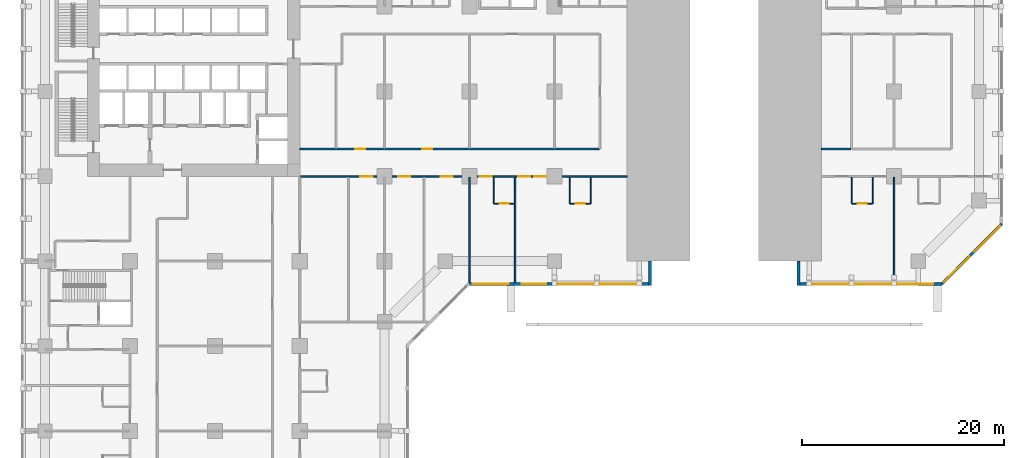
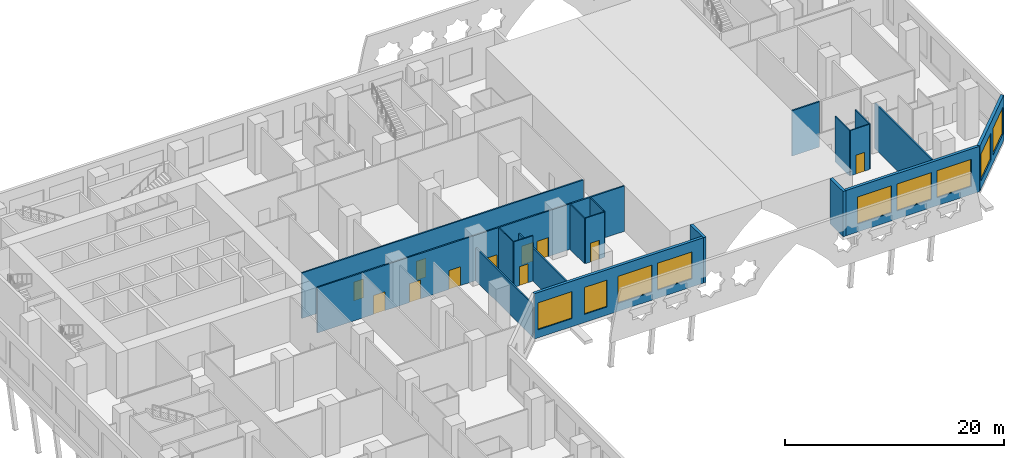
# One storey, part 8 of 24: 19 walls, 11 doors, 9 windows, 20 openings.
"""IFC4 building model written with IfcOpenShell, lengths in metres."""

import ifcopenshell
import ifcopenshell.guid

model = None  # the IFC model being written
_history = None  # IfcOwnerHistory: only IFC2X3 demands one
_inside = {}  # id of a spatial element -> (the spatial element, [elements in it])
_under = {}  # id of a project, library or spatial element -> (it, [spatial elements below it])
_declared = {}  # id of a project -> (the project, [libraries it declares])
_typed = {}  # id of a type object -> (the type object, [elements of that type])
_made_of = {}  # id of a material, layer set ... -> (it, [elements and type objects made of it])


def new_model(schema):
    """Start an empty IFC model of exactly this schema.

    Asked for "IFC4X3", IfcOpenShell would pick the latest addendum, in which some entities
    have other attributes; the version numbers below select the first issue.
    IFC2X3 requires an IfcOwnerHistory on every rooted entity: one is made here for all.
    """
    global model, _history
    if schema == "IFC4X3":
        model = ifcopenshell.file(schema_version=(4, 3, 0, 0))
    else:
        model = ifcopenshell.file(schema=schema)
    _inside.clear()
    _under.clear()
    _declared.clear()
    _typed.clear()
    _made_of.clear()
    _history = None
    if model.schema == "IFC2X3":
        org = make("IfcOrganization", Name="unknown")
        user = make(
            "IfcPersonAndOrganization",
            ThePerson=make("IfcPerson", FamilyName="unknown"),
            TheOrganization=org,
        )
        app = make(
            "IfcApplication",
            ApplicationDeveloper=org,
            Version="unknown",
            ApplicationFullName="unknown",
            ApplicationIdentifier="unknown",
        )
        _history = make(
            "IfcOwnerHistory",
            OwningUser=user,
            OwningApplication=app,
            ChangeAction="ADDED",
            CreationDate=0,
        )
    return model


def make(cls, **values):
    """One entity of the class cls with the attributes given. An attribute that is None is left unset."""
    return model.create_entity(
        cls, **{name: value for name, value in values.items() if value is not None}
    )


def rooted(cls, **values):
    """An entity with a GlobalId (a new one), such as an element, a storey or a relation."""
    return make(cls, GlobalId=ifcopenshell.guid.new(), OwnerHistory=_history, **values)


def si_unit(unit_type, name, prefix=None):
    """IfcSIUnit, for example si_unit("LENGTHUNIT", "METRE", prefix="MILLI")."""
    return make("IfcSIUnit", UnitType=unit_type, Prefix=prefix, Name=name)


def assignment(units):
    """IfcUnitAssignment: the units of a project."""
    return None if units is None else make("IfcUnitAssignment", Units=units)


def point(xyz):
    """IfcCartesianPoint."""
    return None if xyz is None else make("IfcCartesianPoint", Coordinates=xyz)


def direction(xyz):
    """IfcDirection."""
    return None if xyz is None else make("IfcDirection", DirectionRatios=xyz)


def frame(location, z_axis=None, x_axis=None):
    """IfcAxis2Placement3D, a coordinate frame: its origin and axes. An axis left out is left unset."""
    return make(
        "IfcAxis2Placement3D",
        Location=point(location),
        Axis=direction(z_axis),
        RefDirection=direction(x_axis),
    )


def frame_2d(location, x_axis=None):
    """IfcAxis2Placement2D, a coordinate frame in the plane: its origin and x axis."""
    return make(
        "IfcAxis2Placement2D", Location=point(location), RefDirection=direction(x_axis)
    )


def origin():
    """The frame at (0, 0, 0) with its axes left unset."""
    return frame((0.0, 0.0, 0.0))


def place(relative_to, where):
    """IfcLocalPlacement: puts the frame where relative to a parent placement (None: the world)."""
    return make(
        "IfcLocalPlacement", PlacementRelTo=relative_to, RelativePlacement=where
    )


def context(
    kind, dimensions, precision=None, world=None, true_north=None, identifier=None
):
    """IfcGeometricRepresentationContext, for example the 3D "Model" context."""
    return make(
        "IfcGeometricRepresentationContext",
        ContextIdentifier=identifier,
        ContextType=kind,
        CoordinateSpaceDimension=dimensions,
        Precision=precision,
        WorldCoordinateSystem=world,
        TrueNorth=true_north,
    )


def subcontext(parent, identifier, kind, view, scale=None):
    """IfcGeometricRepresentationSubContext, for example "Body" below "Model"."""
    return make(
        "IfcGeometricRepresentationSubContext",
        ContextIdentifier=identifier,
        ContextType=kind,
        ParentContext=parent,
        TargetScale=scale,
        TargetView=view,
    )


def project(units=None, contexts=None):
    """IfcProject with its units and contexts."""
    return rooted(
        "IfcProject",
        Name="project",
        RepresentationContexts=contexts,
        UnitsInContext=assignment(units),
    )


def spatial(cls, under=None, at=None, **own):
    """A site, building, storey or space (cls), placed at a placement, below another one or the project."""
    s = rooted(cls, ObjectPlacement=at, **own)
    if under is not None:
        _under.setdefault(under.id(), (under, []))[1].append(s)
    return s


def profile(cls, at=None, kind="AREA", **sizes):
    """A parametric profile (cls). Its sizes go by their IFC names, for example OverallWidth=200.0."""
    return make(cls, ProfileType=kind, Position=at, **sizes)


def rectangle(**sizes):
    """IfcRectangleProfileDef."""
    return profile("IfcRectangleProfileDef", **sizes)


def extrude(swept, where, along, depth):
    """IfcExtrudedAreaSolid: the profile swept, set in the frame where, extruded along a direction by depth."""
    return make(
        "IfcExtrudedAreaSolid",
        SweptArea=swept,
        Position=where,
        ExtrudedDirection=direction(along),
        Depth=depth,
    )


def shape(context_of_items, identifier, shape_type, items):
    """IfcShapeRepresentation: the items that make up one representation, for example the "Body"."""
    return make(
        "IfcShapeRepresentation",
        ContextOfItems=context_of_items,
        RepresentationIdentifier=identifier,
        RepresentationType=shape_type,
        Items=items,
    )


def material(Name=None, Category=None):
    """IfcMaterial."""
    return make("IfcMaterial", Name=Name, Category=Category)


def layer(
    of_material, thickness, ventilated=None, Name=None, Category=None, Priority=None
):
    """IfcMaterialLayer: one layer of a wall or slab, of a material (None: an air gap)."""
    return make(
        "IfcMaterialLayer",
        Material=of_material,
        LayerThickness=thickness,
        IsVentilated=ventilated,
        Name=Name,
        Category=Category,
        Priority=Priority,
    )


def layer_set(layers, Name=None):
    """IfcMaterialLayerSet."""
    return make("IfcMaterialLayerSet", MaterialLayers=layers, LayerSetName=Name)


def made_of(thing, what):
    """Note that an element or type object is made of a material, layer set ...; save() writes the relation."""
    if what is not None:
        _made_of.setdefault(what.id(), (what, []))[1].append(thing)
    return thing


def type_object(cls, material=None, **own):
    """A type object (cls), such as IfcWallType, which elements share."""
    return made_of(rooted(cls, **own), material)


def element(
    cls,
    number,
    at=None,
    inside=None,
    cuts=None,
    type_object=None,
    material=None,
    context=None,
    identifier="Body",
    shape_type=None,
    held_by="IfcProductDefinitionShape",
    body=None,
    shapes=None,
    **own,
):
    """One element of the class cls, such as IfcWall. Its Tag is "e" and its number.

    at: its placement. inside: the storey or other place that contains it. cuts: it is an
    opening in that element (IfcRelVoidsElement). A single representation is given by context,
    identifier, shape_type and body (its items); several are given by shapes. held_by: the class
    of the entity that holds the representations. save() writes the other relations.
    """
    e = rooted(cls, Tag="e%d" % number, ObjectPlacement=at, **own)
    if body is not None:
        shapes = [shape(context, identifier, shape_type, body)]
    if shapes is not None:
        e.Representation = make(held_by, Representations=shapes)
    if inside is not None:
        _inside.setdefault(inside.id(), (inside, []))[1].append(e)
    if cuts is not None:
        rooted(
            "IfcRelVoidsElement", RelatingBuildingElement=cuts, RelatedOpeningElement=e
        )
    if type_object is not None:
        _typed.setdefault(type_object.id(), (type_object, []))[1].append(e)
    return made_of(e, material)


def fill(opening, filler):
    """IfcRelFillsElement: the door or window that sits in an opening."""
    return rooted(
        "IfcRelFillsElement",
        RelatingOpeningElement=opening,
        RelatedBuildingElement=filler,
    )


def aggregate(whole, parts):
    """IfcRelAggregates: a whole, such as a stair, and the parts it consists of."""
    return rooted("IfcRelAggregates", RelatingObject=whole, RelatedObjects=parts)


def save(model, path):
    """Write the relations noted so far, then the file.

    IfcRelAggregates (storeys below a building ...), IfcRelContainedInSpatialStructure (elements
    in a storey), IfcRelDefinesByType, IfcRelAssociatesMaterial and IfcRelDeclares: one each for
    every whole, place, type object, material and project.
    """
    for whole, parts in _under.values():
        aggregate(whole, parts)
    for where, things in _inside.values():
        rooted(
            "IfcRelContainedInSpatialStructure",
            RelatedElements=things,
            RelatingStructure=where,
        )
    for kind, things in _typed.values():
        rooted("IfcRelDefinesByType", RelatedObjects=things, RelatingType=kind)
    for what, things in _made_of.values():
        rooted("IfcRelAssociatesMaterial", RelatedObjects=things, RelatingMaterial=what)
    for by, libraries in _declared.values():
        rooted("IfcRelDeclares", RelatingContext=by, RelatedDefinitions=libraries)
    model.write(path)


model = new_model("IFC4")

# Units and contexts
model_context = context("Model", 3, precision=1e-05, world=origin(), true_north=direction((0.0, 1.0)))
body_context = subcontext(model_context, "Body", "Model", "MODEL_VIEW")
ifc_project = project(units=[si_unit("LENGTHUNIT", "METRE"), si_unit("AREAUNIT", "SQUARE_METRE"), si_unit("VOLUMEUNIT", "CUBIC_METRE"), si_unit("PLANEANGLEUNIT", "RADIAN"), si_unit("MASSUNIT", "GRAM", prefix="KILO")], contexts=[model_context])

# Site, building, storey
site_placement = place(None, origin())
site = spatial("IfcSite", under=ifc_project, at=site_placement, CompositionType="ELEMENT")
building_placement = place(site_placement, origin())
building = spatial("IfcBuilding", under=site, at=building_placement, Name="Kawkab Arch Medical Tower", CompositionType="ELEMENT")
storey_placement = place(building_placement, frame((0.0, 0.0, 18.199951171875)))
storey = spatial("IfcBuildingStorey", under=building, at=storey_placement, Name="L04", CompositionType="ELEMENT", Elevation=18.199951171875)

# Wall, opening, door
ifc_material_1 = material(Name="Gypsum board partition on steel studs", Category="steel")
ifc_layer_1 = layer(ifc_material_1, 0.10009765625)
ifc_layer_set_1 = layer_set([ifc_layer_1], Name="Gypsum board partition on steel studs")
wall_type_1 = type_object("IfcWallType", Name="Partition 100", PredefinedType="PARTITIONING", material=ifc_layer_set_1)
wall_1_placement = place(storey_placement, frame((44.449951171875, -27.89990234375, 0.0), z_axis=(0.0, 0.0, 1.0), x_axis=(1.0, 0.0, 0.0)))
wall_1 = element("IfcWall", 1, at=wall_1_placement, inside=storey, type_object=wall_type_1, Name="Partition 100 w015", PredefinedType="PARTITIONING", context=body_context, shape_type="SweptSolid", body=[
    extrude(rectangle(XDim=1.97509765625, YDim=0.10009765625, at=frame_2d((0.987548828125, 0.0))), origin(), (0.0, 0.0, 1.0), 5.050048828125),
])
opening_1_placement = place(wall_1_placement, frame((0.550048828125, 0.0, 0.0)))
opening_1 = element("IfcOpeningElement", 2, at=opening_1_placement, cuts=wall_1, Name="Opening P04-004", PredefinedType="OPENING", context=body_context, shape_type="SweptSolid", body=[
    extrude(rectangle(XDim=0.89990234375, YDim=2.10009765625, at=frame_2d((0.449951171875, 1.050048828125))), frame((0.0, 0.06005859375, 0.0), z_axis=(0.0, -1.0, 0.0), x_axis=(1.0, 0.0, 0.0)), (0.0, 0.0, 1.0), 0.1201171875),
])
ifc_material_2 = material(Name="Timber door leaf", Category="wood")
door_type_1 = type_object("IfcDoorType", Name="Single door 900x2100", OperationType="NOTDEFINED", PredefinedType="DOOR", material=ifc_material_2)
door_1_placement = place(opening_1_placement, origin())
door_1 = element("IfcDoor", 3, at=door_1_placement, inside=storey, type_object=door_type_1, Name="Door P04-004", OperationType="SINGLE_SWING_RIGHT", OverallHeight=2.10009765625, OverallWidth=0.89990234375, PredefinedType="DOOR", context=body_context, shape_type="SweptSolid", body=[
    extrude(rectangle(XDim=0.89990234375, YDim=2.10009765625, at=frame_2d((0.449951171875, 1.050048828125))), frame((0.0, 0.02490234375, 0.0), z_axis=(0.0, -1.0, 0.0), x_axis=(1.0, 0.0, 0.0)), (0.0, 0.0, 1.0), 0.050048828125),
])
fill(opening_1, door_1)

wall_2_placement = place(storey_placement, frame((51.951904296875, -27.89990234375, 0.0), z_axis=(0.0, 0.0, 1.0), x_axis=(1.0, 0.0, 0.0)))
wall_2 = element("IfcWall", 4, at=wall_2_placement, inside=storey, type_object=wall_type_1, Name="Partition 100 w016", PredefinedType="PARTITIONING", context=body_context, shape_type="SweptSolid", body=[
    extrude(rectangle(XDim=1.9951171875, YDim=0.10009765625, at=frame_2d((0.99755859375, 0.0))), origin(), (0.0, 0.0, 1.0), 5.050048828125),
])
opening_2_placement = place(wall_2_placement, frame((0.547119140625, 0.0, 0.0)))
opening_2 = element("IfcOpeningElement", 5, at=opening_2_placement, cuts=wall_2, Name="Opening P04-005", PredefinedType="OPENING", context=body_context, shape_type="SweptSolid", body=[
    extrude(rectangle(XDim=0.89990234375, YDim=2.10009765625, at=frame_2d((0.449951171875, 1.050048828125))), frame((0.0, 0.06005859375, 0.0), z_axis=(0.0, -1.0, 0.0), x_axis=(1.0, 0.0, 0.0)), (0.0, 0.0, 1.0), 0.1201171875),
])
door_2_placement = place(opening_2_placement, origin())
door_2 = element("IfcDoor", 6, at=door_2_placement, inside=storey, type_object=door_type_1, Name="Door P04-005", OperationType="SINGLE_SWING_LEFT", OverallHeight=2.10009765625, OverallWidth=0.89990234375, PredefinedType="DOOR", context=body_context, shape_type="SweptSolid", body=[
    extrude(rectangle(XDim=0.89990234375, YDim=2.10009765625, at=frame_2d((0.449951171875, 1.050048828125))), frame((0.0, 0.02490234375, 0.0), z_axis=(0.0, -1.0, 0.0), x_axis=(1.0, 0.0, 0.0)), (0.0, 0.0, 1.0), 0.050048828125),
])
fill(opening_2, door_2)

wall_3_placement = place(storey_placement, frame((79.85205078125, -27.89990234375, 0.0), z_axis=(0.0, 0.0, 1.0), x_axis=(1.0, 0.0, 0.0)))
wall_3 = element("IfcWall", 7, at=wall_3_placement, inside=storey, type_object=wall_type_1, Name="Partition 100 w017", PredefinedType="PARTITIONING", context=body_context, shape_type="SweptSolid", body=[
    extrude(rectangle(XDim=1.995849609375, YDim=0.10009765625, at=frame_2d((0.998046875, 0.0))), origin(), (0.0, 0.0, 1.0), 5.050048828125),
])
opening_3_placement = place(wall_3_placement, frame((0.548095703125, 0.0, 0.0)))
opening_3 = element("IfcOpeningElement", 8, at=opening_3_placement, cuts=wall_3, Name="Opening P04-006", PredefinedType="OPENING", context=body_context, shape_type="SweptSolid", body=[
    extrude(rectangle(XDim=0.89990234375, YDim=2.10009765625, at=frame_2d((0.449951171875, 1.050048828125))), frame((0.0, 0.06005859375, 0.0), z_axis=(0.0, -1.0, 0.0), x_axis=(1.0, 0.0, 0.0)), (0.0, 0.0, 1.0), 0.1201171875),
])
door_3_placement = place(opening_3_placement, origin())
door_3 = element("IfcDoor", 9, at=door_3_placement, inside=storey, type_object=door_type_1, Name="Door P04-006", OperationType="SINGLE_SWING_RIGHT", OverallHeight=2.10009765625, OverallWidth=0.89990234375, PredefinedType="DOOR", context=body_context, shape_type="SweptSolid", body=[
    extrude(rectangle(XDim=0.89990234375, YDim=2.10009765625, at=frame_2d((0.449951171875, 1.050048828125))), frame((0.0, 0.02490234375, 0.0), z_axis=(0.0, -1.0, 0.0), x_axis=(1.0, 0.0, 0.0)), (0.0, 0.0, 1.0), 0.050048828125),
])
fill(opening_3, door_3)

# Walls
wall_4_placement = place(storey_placement, frame((44.39990234375, -27.89990234375, 0.0), z_axis=(0.0, 0.0, 1.0), x_axis=(0.0, 1.0, 0.0)))
element("IfcWall", 10, at=wall_4_placement, inside=storey, type_object=wall_type_1, Name="Partition 100 w031", PredefinedType="PARTITIONING", context=body_context, shape_type="SweptSolid", body=[
    extrude(rectangle(XDim=2.625, YDim=0.10009765625, at=frame_2d((1.3125, 0.0))), origin(), (0.0, 0.0, 1.0), 5.050048828125),
])
for number, where, z_axis, x_axis, name in (
    (11, (51.89990234375, -27.89794921875, 0.0), (0.0, 0.0, 1.0), (0.0, 1.0, 0.0), "Partition 100 w032"),
    (12, (54.0, -27.89794921875, 0.0), (0.0, 0.0, 1.0), (0.0, 1.0, 0.0), "Partition 100 w034"),
    (13, (79.800048828125, -27.89794921875, 0.0), (0.0, 0.0, 1.0), (0.0, 1.0, 0.0), "Partition 100 w036"),
):
    element("IfcWall", number, at=place(storey_placement, frame(where, z_axis=z_axis, x_axis=x_axis)), inside=storey, type_object=wall_type_1, Name=name, PredefinedType="PARTITIONING", context=body_context, shape_type="SweptSolid", body=[
        extrude(rectangle(XDim=2.623046875, YDim=0.10009765625, at=frame_2d((1.3115234375, 0.0))), origin(), (0.0, 0.0, 1.0), 5.050048828125),
    ])
wall_5_placement = place(storey_placement, frame((81.89990234375, -27.89892578125, 0.0), z_axis=(0.0, 0.0, 1.0), x_axis=(0.0, 1.0, 0.0)))
element("IfcWall", 14, at=wall_5_placement, inside=storey, type_object=wall_type_1, Name="Partition 100 w037", PredefinedType="PARTITIONING", context=body_context, shape_type="SweptSolid", body=[
    extrude(rectangle(XDim=2.6240234375, YDim=0.10009765625, at=frame_2d((1.31201171875, 0.0))), origin(), (0.0, 0.0, 1.0), 5.050048828125),
])

# Wall, openings, doors
ifc_material_3 = material(Name="Gypsum board partition on steel studs, mineral wool", Category="steel")
ifc_layer_2 = layer(ifc_material_3, 0.14990234375)
ifc_layer_set_2 = layer_set([ifc_layer_2], Name="Gypsum board partition on steel studs, mineral wool")
wall_type_2 = type_object("IfcWallType", Name="Partition 150", PredefinedType="PARTITIONING", material=ifc_layer_set_2)
wall_6_placement = place(storey_placement, frame((25.27490234375, -25.199951171875, 0.0), z_axis=(0.0, 0.0, 1.0), x_axis=(1.0, 0.0, 0.0)))
wall_6 = element("IfcWall", 15, at=wall_6_placement, inside=storey, type_object=wall_type_2, Name="Partition 150 w071", PredefinedType="PARTITIONING", context=body_context, shape_type="SweptSolid", body=[
    extrude(rectangle(XDim=32.3251953125, YDim=0.14990234375, at=frame_2d((16.16259765625, 0.0))), origin(), (0.0, 0.0, 1.0), 5.050048828125),
])
opening_4_placement = place(wall_6_placement, frame((5.925048828125, 0.0, 0.0)))
opening_4 = element("IfcOpeningElement", 16, at=opening_4_placement, cuts=wall_6, Name="Opening P04-046", PredefinedType="OPENING", context=body_context, shape_type="SweptSolid", body=[
    extrude(rectangle(XDim=1.199951171875, YDim=2.10009765625, at=frame_2d((0.60009765625, 1.050048828125))), frame((0.0, 0.0849609375, 0.0), z_axis=(0.0, -1.0, 0.0), x_axis=(1.0, 0.0, 0.0)), (0.0, 0.0, 1.0), 0.169921875),
])
opening_5_placement = place(wall_6_placement, frame((9.675048828125, 0.0, 0.0)))
opening_5 = element("IfcOpeningElement", 17, at=opening_5_placement, cuts=wall_6, Name="Opening P04-047", PredefinedType="OPENING", context=body_context, shape_type="SweptSolid", body=[
    extrude(rectangle(XDim=1.199951171875, YDim=2.10009765625, at=frame_2d((0.60009765625, 1.050048828125))), frame((0.0, 0.0849609375, 0.0), z_axis=(0.0, -1.0, 0.0), x_axis=(1.0, 0.0, 0.0)), (0.0, 0.0, 1.0), 0.169921875),
])
opening_6_placement = place(wall_6_placement, frame((13.875, 0.0, 0.0)))
opening_6 = element("IfcOpeningElement", 18, at=opening_6_placement, cuts=wall_6, Name="Opening P04-048", PredefinedType="OPENING", context=body_context, shape_type="SweptSolid", body=[
    extrude(rectangle(XDim=1.199951171875, YDim=2.10009765625, at=frame_2d((0.60009765625, 1.050048828125))), frame((0.0, 0.0849609375, 0.0), z_axis=(0.0, -1.0, 0.0), x_axis=(1.0, 0.0, 0.0)), (0.0, 0.0, 1.0), 0.169921875),
])
opening_7_placement = place(wall_6_placement, frame((17.72509765625, 0.0, 0.0)))
opening_7 = element("IfcOpeningElement", 19, at=opening_7_placement, cuts=wall_6, Name="Opening P04-049", PredefinedType="OPENING", context=body_context, shape_type="SweptSolid", body=[
    extrude(rectangle(XDim=1.199951171875, YDim=2.10009765625, at=frame_2d((0.60009765625, 1.050048828125))), frame((0.0, 0.0849609375, 0.0), z_axis=(0.0, -1.0, 0.0), x_axis=(1.0, 0.0, 0.0)), (0.0, 0.0, 1.0), 0.169921875),
])
opening_8_placement = place(wall_6_placement, frame((23.125, 0.0, 0.0)))
opening_8 = element("IfcOpeningElement", 20, at=opening_8_placement, cuts=wall_6, Name="Opening P04-050", PredefinedType="OPENING", context=body_context, shape_type="SweptSolid", body=[
    extrude(rectangle(XDim=1.199951171875, YDim=2.10009765625, at=frame_2d((0.60009765625, 1.050048828125))), frame((0.0, 0.0849609375, 0.0), z_axis=(0.0, -1.0, 0.0), x_axis=(1.0, 0.0, 0.0)), (0.0, 0.0, 1.0), 0.169921875),
])
opening_9_placement = place(wall_6_placement, frame((21.52490234375, 0.0, 0.0)))
opening_9 = element("IfcOpeningElement", 21, at=opening_9_placement, cuts=wall_6, Name="Opening P04-051", PredefinedType="OPENING", context=body_context, shape_type="SweptSolid", body=[
    extrude(rectangle(XDim=1.199951171875, YDim=2.10009765625, at=frame_2d((0.60009765625, 1.050048828125))), frame((0.0, 0.0849609375, 0.0), z_axis=(0.0, -1.0, 0.0), x_axis=(1.0, 0.0, 0.0)), (0.0, 0.0, 1.0), 0.169921875),
])
ifc_material_4 = material(Name="Hollow metal door leaf")
door_type_2 = type_object("IfcDoorType", Name="Single door 1200x2100 FD30S", OperationType="NOTDEFINED", PredefinedType="DOOR", material=ifc_material_4)
door_4_placement = place(opening_4_placement, origin())
door_4 = element("IfcDoor", 22, at=door_4_placement, inside=storey, type_object=door_type_2, Name="Door P04-046", OperationType="SINGLE_SWING_RIGHT", OverallHeight=2.10009765625, OverallWidth=1.199951171875, PredefinedType="DOOR", context=body_context, shape_type="SweptSolid", body=[
    extrude(rectangle(XDim=1.199951171875, YDim=2.10009765625, at=frame_2d((0.60009765625, 1.050048828125))), frame((0.0, 0.02490234375, 0.0), z_axis=(0.0, -1.0, 0.0), x_axis=(1.0, 0.0, 0.0)), (0.0, 0.0, 1.0), 0.050048828125),
])
fill(opening_4, door_4)
door_5_placement = place(opening_5_placement, origin())
door_5 = element("IfcDoor", 23, at=door_5_placement, inside=storey, type_object=door_type_2, Name="Door P04-047", OperationType="SINGLE_SWING_RIGHT", OverallHeight=2.10009765625, OverallWidth=1.199951171875, PredefinedType="DOOR", context=body_context, shape_type="SweptSolid", body=[
    extrude(rectangle(XDim=1.199951171875, YDim=2.10009765625, at=frame_2d((0.60009765625, 1.050048828125))), frame((0.0, 0.02490234375, 0.0), z_axis=(0.0, -1.0, 0.0), x_axis=(1.0, 0.0, 0.0)), (0.0, 0.0, 1.0), 0.050048828125),
])
fill(opening_5, door_5)
door_6_placement = place(opening_6_placement, origin())
door_6 = element("IfcDoor", 24, at=door_6_placement, inside=storey, type_object=door_type_2, Name="Door P04-048", OperationType="SINGLE_SWING_RIGHT", OverallHeight=2.10009765625, OverallWidth=1.199951171875, PredefinedType="DOOR", context=body_context, shape_type="SweptSolid", body=[
    extrude(rectangle(XDim=1.199951171875, YDim=2.10009765625, at=frame_2d((0.60009765625, 1.050048828125))), frame((0.0, 0.02490234375, 0.0), z_axis=(0.0, -1.0, 0.0), x_axis=(1.0, 0.0, 0.0)), (0.0, 0.0, 1.0), 0.050048828125),
])
fill(opening_6, door_6)
door_7_placement = place(opening_7_placement, origin())
door_7 = element("IfcDoor", 25, at=door_7_placement, inside=storey, type_object=door_type_2, Name="Door P04-049", OperationType="SINGLE_SWING_LEFT", OverallHeight=2.10009765625, OverallWidth=1.199951171875, PredefinedType="DOOR", context=body_context, shape_type="SweptSolid", body=[
    extrude(rectangle(XDim=1.199951171875, YDim=2.10009765625, at=frame_2d((0.60009765625, 1.050048828125))), frame((0.0, 0.02490234375, 0.0), z_axis=(0.0, -1.0, 0.0), x_axis=(1.0, 0.0, 0.0)), (0.0, 0.0, 1.0), 0.050048828125),
])
fill(opening_7, door_7)
door_8_placement = place(opening_8_placement, origin())
door_8 = element("IfcDoor", 26, at=door_8_placement, inside=storey, type_object=door_type_2, Name="Door P04-050", OperationType="SINGLE_SWING_LEFT", OverallHeight=2.10009765625, OverallWidth=1.199951171875, PredefinedType="DOOR", context=body_context, shape_type="SweptSolid", body=[
    extrude(rectangle(XDim=1.199951171875, YDim=2.10009765625, at=frame_2d((0.60009765625, 1.050048828125))), frame((0.0, 0.02490234375, 0.0), z_axis=(0.0, -1.0, 0.0), x_axis=(1.0, 0.0, 0.0)), (0.0, 0.0, 1.0), 0.050048828125),
])
fill(opening_8, door_8)
door_9_placement = place(opening_9_placement, origin())
door_9 = element("IfcDoor", 27, at=door_9_placement, inside=storey, type_object=door_type_2, Name="Door P04-051", OperationType="SINGLE_SWING_LEFT", OverallHeight=2.10009765625, OverallWidth=1.199951171875, PredefinedType="DOOR", context=body_context, shape_type="SweptSolid", body=[
    extrude(rectangle(XDim=1.199951171875, YDim=2.10009765625, at=frame_2d((0.60009765625, 1.050048828125))), frame((0.0, 0.02490234375, 0.0), z_axis=(0.0, -1.0, 0.0), x_axis=(1.0, 0.0, 0.0)), (0.0, 0.0, 1.0), 0.050048828125),
])
fill(opening_9, door_9)

wall_7_placement = place(storey_placement, frame((25.199951171875, -22.5, 0.0), z_axis=(0.0, 0.0, 1.0), x_axis=(1.0, 0.0, 0.0)))
wall_7 = element("IfcWall", 28, at=wall_7_placement, inside=storey, type_object=wall_type_2, Name="Partition 150 w073", PredefinedType="PARTITIONING", context=body_context, shape_type="SweptSolid", body=[
    extrude(rectangle(XDim=29.625, YDim=0.14990234375, at=frame_2d((14.8125, 0.0))), origin(), (0.0, 0.0, 1.0), 5.050048828125),
])
opening_10_placement = place(wall_7_placement, frame((5.5, 0.0, 0.0)))
opening_10 = element("IfcOpeningElement", 29, at=opening_10_placement, cuts=wall_7, Name="Opening P04-021", PredefinedType="OPENING", context=body_context, shape_type="SweptSolid", body=[
    extrude(rectangle(XDim=1.0, YDim=2.10009765625, at=frame_2d((0.5, 1.050048828125))), frame((0.0, 0.0849609375, 0.0), z_axis=(0.0, -1.0, 0.0), x_axis=(1.0, 0.0, 0.0)), (0.0, 0.0, 1.0), 0.169921875),
])
opening_11_placement = place(wall_7_placement, frame((12.10009765625, 0.0, 0.0)))
opening_11 = element("IfcOpeningElement", 30, at=opening_11_placement, cuts=wall_7, Name="Opening P04-022", PredefinedType="OPENING", context=body_context, shape_type="SweptSolid", body=[
    extrude(rectangle(XDim=1.0, YDim=2.10009765625, at=frame_2d((0.5, 1.050048828125))), frame((0.0, 0.0849609375, 0.0), z_axis=(0.0, -1.0, 0.0), x_axis=(1.0, 0.0, 0.0)), (0.0, 0.0, 1.0), 0.169921875),
])
ifc_material_5 = material(Name="Hollow metal door leaf")
door_type_3 = type_object("IfcDoorType", Name="Single door 1000x2100 FD30S", OperationType="NOTDEFINED", PredefinedType="DOOR", material=ifc_material_5)
door_10_placement = place(opening_10_placement, origin())
door_10 = element("IfcDoor", 31, at=door_10_placement, inside=storey, type_object=door_type_3, Name="Door P04-021", OperationType="SINGLE_SWING_LEFT", OverallHeight=2.10009765625, OverallWidth=1.0, PredefinedType="DOOR", context=body_context, shape_type="SweptSolid", body=[
    extrude(rectangle(XDim=1.0, YDim=2.10009765625, at=frame_2d((0.5, 1.050048828125))), frame((0.0, 0.02490234375, 0.0), z_axis=(0.0, -1.0, 0.0), x_axis=(1.0, 0.0, 0.0)), (0.0, 0.0, 1.0), 0.050048828125),
])
fill(opening_10, door_10)
door_11_placement = place(opening_11_placement, origin())
door_11 = element("IfcDoor", 32, at=door_11_placement, inside=storey, type_object=door_type_3, Name="Door P04-022", OperationType="SINGLE_SWING_LEFT", OverallHeight=2.10009765625, OverallWidth=1.0, PredefinedType="DOOR", context=body_context, shape_type="SweptSolid", body=[
    extrude(rectangle(XDim=1.0, YDim=2.10009765625, at=frame_2d((0.5, 1.050048828125))), frame((0.0, 0.02490234375, 0.0), z_axis=(0.0, -1.0, 0.0), x_axis=(1.0, 0.0, 0.0)), (0.0, 0.0, 1.0), 0.050048828125),
])
fill(opening_11, door_11)

# Walls
wall_8_placement = place(storey_placement, frame((76.800048828125, -22.5, 0.0), z_axis=(0.0, 0.0, 1.0), x_axis=(1.0, 0.0, 0.0)))
element("IfcWall", 33, at=wall_8_placement, inside=storey, type_object=wall_type_2, Name="Partition 150 w074", PredefinedType="PARTITIONING", context=body_context, shape_type="SweptSolid", body=[
    extrude(rectangle(XDim=2.89990234375, YDim=0.14990234375, at=frame_2d((1.449951171875, 0.0))), origin(), (0.0, 0.0, 1.0), 5.050048828125),
])
for number, where, z_axis, x_axis, name in (
    (34, (42.0, -35.679931640625, 0.0), (0.0, 0.0, 1.0), (0.0, 1.0, 0.0), "Partition 150 w111"),
    (35, (46.5, -35.679931640625, 0.0), (0.0, 0.0, 1.0), (0.0, 1.0, 0.0), "Partition 150 w114"),
):
    element("IfcWall", number, at=place(storey_placement, frame(where, z_axis=z_axis, x_axis=x_axis)), inside=storey, type_object=wall_type_2, Name=name, PredefinedType="PARTITIONING", context=body_context, shape_type="SweptSolid", body=[
        extrude(rectangle(XDim=10.405029296875, YDim=0.14990234375, at=frame_2d((5.20263671875, 0.0))), origin(), (0.0, 0.0, 1.0), 3.650146484375),
    ])
wall_9_placement = place(storey_placement, frame((84.0, -35.679931640625, 0.0), z_axis=(0.0, 0.0, 1.0), x_axis=(0.0, 1.0, 0.0)))
element("IfcWall", 36, at=wall_9_placement, inside=storey, type_object=wall_type_2, Name="Partition 150 w120", PredefinedType="PARTITIONING", context=body_context, shape_type="SweptSolid", body=[
    extrude(rectangle(XDim=10.405029296875, YDim=0.14990234375, at=frame_2d((5.20263671875, 0.0))), origin(), (0.0, 0.0, 1.0), 5.050048828125),
])

# Wall, openings, windows
ifc_material_6 = material(Name="Bronze clad insulated wall panel")
ifc_layer_3 = layer(ifc_material_6, 0.300048828125)
ifc_layer_set_3 = layer_set([ifc_layer_3], Name="Bronze clad insulated wall panel")
wall_type_3 = type_object("IfcWallType", Name="Podium external wall 300", PredefinedType="SOLIDWALL", material=ifc_layer_set_3)
wall_10_placement = place(storey_placement, frame((41.93798828125, -35.85009765625, 0.0), z_axis=(0.0, 0.0, 1.0), x_axis=(1.0, 0.0, 0.0)))
wall_10 = element("IfcWall", 37, at=wall_10_placement, inside=storey, type_object=wall_type_3, Name="Podium external wall L04 R03", PredefinedType="SOLIDWALL", context=body_context, shape_type="SweptSolid", body=[
    extrude(rectangle(XDim=17.912109375, YDim=0.300048828125, at=frame_2d((8.9560546875, 0.0))), origin(), (0.0, 0.0, 1.0), 5.050048828125),
])
opening_12_placement = place(wall_10_placement, frame((0.362060546875, 0.0, 0.89990234375)))
opening_12 = element("IfcOpeningElement", 38, at=opening_12_placement, cuts=wall_10, Name="Opening PBW360-30-S9", PredefinedType="OPENING", context=body_context, shape_type="SweptSolid", body=[
    extrude(rectangle(XDim=3.60009765625, YDim=3.0, at=frame_2d((1.800048828125, 1.5))), frame((0.0, 0.159912109375, 0.0), z_axis=(0.0, -1.0, 0.0), x_axis=(1.0, 0.0, 0.0)), (0.0, 0.0, 1.0), 0.320068359375),
])
opening_13_placement = place(wall_10_placement, frame((5.237060546875, 0.0, 0.89990234375)))
opening_13 = element("IfcOpeningElement", 39, at=opening_13_placement, cuts=wall_10, Name="Opening PBW240-30-S9", PredefinedType="OPENING", context=body_context, shape_type="SweptSolid", body=[
    extrude(rectangle(XDim=2.39990234375, YDim=3.0, at=frame_2d((1.199951171875, 1.5))), frame((0.0, 0.159912109375, 0.0), z_axis=(0.0, -1.0, 0.0), x_axis=(1.0, 0.0, 0.0)), (0.0, 0.0, 1.0), 0.320068359375),
])
opening_14_placement = place(wall_10_placement, frame((8.76220703125, 0.0, 0.89990234375)))
opening_14 = element("IfcOpeningElement", 40, at=opening_14_placement, cuts=wall_10, Name="Opening PBW360-30-S9", PredefinedType="OPENING", context=body_context, shape_type="SweptSolid", body=[
    extrude(rectangle(XDim=3.60009765625, YDim=3.0, at=frame_2d((1.800048828125, 1.5))), frame((0.0, 0.159912109375, 0.0), z_axis=(0.0, -1.0, 0.0), x_axis=(1.0, 0.0, 0.0)), (0.0, 0.0, 1.0), 0.320068359375),
])
opening_15_placement = place(wall_10_placement, frame((12.962158203125, 0.0, 0.89990234375)))
opening_15 = element("IfcOpeningElement", 41, at=opening_15_placement, cuts=wall_10, Name="Opening PBW360-30-S9", PredefinedType="OPENING", context=body_context, shape_type="SweptSolid", body=[
    extrude(rectangle(XDim=3.60009765625, YDim=3.0, at=frame_2d((1.800048828125, 1.5))), frame((0.0, 0.159912109375, 0.0), z_axis=(0.0, -1.0, 0.0), x_axis=(1.0, 0.0, 0.0)), (0.0, 0.0, 1.0), 0.320068359375),
])
ifc_material_7 = material(Name="Bronze anodised aluminium louvred window", Category="aluminium")
window_type_1 = type_object("IfcWindowType", Name="Podium band window 2400 x 3000 sill 900", PartitioningType="DOUBLE_PANEL_VERTICAL", PredefinedType="WINDOW", material=ifc_material_7)
window_1_placement = place(opening_13_placement, origin())
window_1 = element("IfcWindow", 42, at=window_1_placement, inside=storey, type_object=window_type_1, Name="Band window L04 R03.2", OverallHeight=3.0, OverallWidth=2.39990234375, PartitioningType="SINGLE_PANEL", PredefinedType="WINDOW", context=body_context, shape_type="SweptSolid", body=[
    extrude(rectangle(XDim=2.39990234375, YDim=3.0, at=frame_2d((1.199951171875, 1.5))), frame((0.0, 0.030029296875, 0.0), z_axis=(0.0, -1.0, 0.0), x_axis=(1.0, 0.0, 0.0)), (0.0, 0.0, 1.0), 0.06005859375),
])
fill(opening_13, window_1)
ifc_material_8 = material(Name="Bronze anodised aluminium louvred window", Category="aluminium")
window_type_2 = type_object("IfcWindowType", Name="Podium band window 3600 x 3000 sill 900", PartitioningType="DOUBLE_PANEL_VERTICAL", PredefinedType="WINDOW", material=ifc_material_8)
window_2_placement = place(opening_12_placement, origin())
window_2 = element("IfcWindow", 43, at=window_2_placement, inside=storey, type_object=window_type_2, Name="Band window L04 R03.1", OverallHeight=3.0, OverallWidth=3.60009765625, PartitioningType="SINGLE_PANEL", PredefinedType="WINDOW", context=body_context, shape_type="SweptSolid", body=[
    extrude(rectangle(XDim=3.60009765625, YDim=3.0, at=frame_2d((1.800048828125, 1.5))), frame((0.0, 0.030029296875, 0.0), z_axis=(0.0, -1.0, 0.0), x_axis=(1.0, 0.0, 0.0)), (0.0, 0.0, 1.0), 0.06005859375),
])
fill(opening_12, window_2)
window_3_placement = place(opening_14_placement, origin())
window_3 = element("IfcWindow", 44, at=window_3_placement, inside=storey, type_object=window_type_2, Name="Band window L04 R03.3", OverallHeight=3.0, OverallWidth=3.60009765625, PartitioningType="SINGLE_PANEL", PredefinedType="WINDOW", context=body_context, shape_type="SweptSolid", body=[
    extrude(rectangle(XDim=3.60009765625, YDim=3.0, at=frame_2d((1.800048828125, 1.5))), frame((0.0, 0.030029296875, 0.0), z_axis=(0.0, -1.0, 0.0), x_axis=(1.0, 0.0, 0.0)), (0.0, 0.0, 1.0), 0.06005859375),
])
fill(opening_14, window_3)
window_4_placement = place(opening_15_placement, origin())
window_4 = element("IfcWindow", 45, at=window_4_placement, inside=storey, type_object=window_type_2, Name="Band window L04 R03.4", OverallHeight=3.0, OverallWidth=3.60009765625, PartitioningType="SINGLE_PANEL", PredefinedType="WINDOW", context=body_context, shape_type="SweptSolid", body=[
    extrude(rectangle(XDim=3.60009765625, YDim=3.0, at=frame_2d((1.800048828125, 1.5))), frame((0.0, 0.030029296875, 0.0), z_axis=(0.0, -1.0, 0.0), x_axis=(1.0, 0.0, 0.0)), (0.0, 0.0, 1.0), 0.06005859375),
])
fill(opening_15, window_4)

# Walls
for number, where, z_axis, x_axis, name in (
    (46, (59.85009765625, -36.0, 0.0), (0.0, 0.0, 1.0), (0.0, 1.0, 0.0), "Podium slot-side wall L04 R04.1"),
    (47, (74.550048828125, -33.60009765625, 0.0), (0.0, 0.0, 1.0), (0.0, -1.0, 0.0), "Podium slot-side wall L04 R14.1"),
):
    element("IfcWall", number, at=place(storey_placement, frame(where, z_axis=z_axis, x_axis=x_axis)), inside=storey, type_object=wall_type_3, Name=name, PredefinedType="SOLIDWALL", context=body_context, shape_type="SweptSolid", body=[
        extrude(rectangle(XDim=2.39990234375, YDim=0.300048828125, at=frame_2d((1.199951171875, 0.0))), origin(), (0.0, 0.0, 1.0), 5.050048828125),
    ])

# Wall, openings, windows
wall_11_placement = place(storey_placement, frame((74.550048828125, -35.85009765625, 0.0), z_axis=(0.0, 0.0, 1.0), x_axis=(1.0, 0.0, 0.0)))
wall_11 = element("IfcWall", 48, at=wall_11_placement, inside=storey, type_object=wall_type_3, Name="Podium external wall L04 R15", PredefinedType="SOLIDWALL", context=body_context, shape_type="SweptSolid", body=[
    extrude(rectangle(XDim=14.187744140625, YDim=0.300048828125, at=frame_2d((7.09375, 0.0))), origin(), (0.0, 0.0, 1.0), 5.050048828125),
])
opening_16_placement = place(wall_11_placement, frame((1.35009765625, 0.0, 0.89990234375)))
opening_16 = element("IfcOpeningElement", 49, at=opening_16_placement, cuts=wall_11, Name="Opening PBW360-30-S9", PredefinedType="OPENING", context=body_context, shape_type="SweptSolid", body=[
    extrude(rectangle(XDim=3.60009765625, YDim=3.0, at=frame_2d((1.800048828125, 1.5))), frame((0.0, 0.159912109375, 0.0), z_axis=(0.0, -1.0, 0.0), x_axis=(1.0, 0.0, 0.0)), (0.0, 0.0, 1.0), 0.320068359375),
])
opening_17_placement = place(wall_11_placement, frame((5.550048828125, 0.0, 0.89990234375)))
opening_17 = element("IfcOpeningElement", 50, at=opening_17_placement, cuts=wall_11, Name="Opening PBW360-30-S9", PredefinedType="OPENING", context=body_context, shape_type="SweptSolid", body=[
    extrude(rectangle(XDim=3.60009765625, YDim=3.0, at=frame_2d((1.800048828125, 1.5))), frame((0.0, 0.159912109375, 0.0), z_axis=(0.0, -1.0, 0.0), x_axis=(1.0, 0.0, 0.0)), (0.0, 0.0, 1.0), 0.320068359375),
])
opening_18_placement = place(wall_11_placement, frame((9.75, 0.0, 0.89990234375)))
opening_18 = element("IfcOpeningElement", 51, at=opening_18_placement, cuts=wall_11, Name="Opening PBW360-30-S9", PredefinedType="OPENING", context=body_context, shape_type="SweptSolid", body=[
    extrude(rectangle(XDim=3.60009765625, YDim=3.0, at=frame_2d((1.800048828125, 1.5))), frame((0.0, 0.159912109375, 0.0), z_axis=(0.0, -1.0, 0.0), x_axis=(1.0, 0.0, 0.0)), (0.0, 0.0, 1.0), 0.320068359375),
])
window_5_placement = place(opening_16_placement, origin())
window_5 = element("IfcWindow", 52, at=window_5_placement, inside=storey, type_object=window_type_2, Name="Band window L04 R15.1", OverallHeight=3.0, OverallWidth=3.60009765625, PartitioningType="SINGLE_PANEL", PredefinedType="WINDOW", context=body_context, shape_type="SweptSolid", body=[
    extrude(rectangle(XDim=3.60009765625, YDim=3.0, at=frame_2d((1.800048828125, 1.5))), frame((0.0, 0.030029296875, 0.0), z_axis=(0.0, -1.0, 0.0), x_axis=(1.0, 0.0, 0.0)), (0.0, 0.0, 1.0), 0.06005859375),
])
fill(opening_16, window_5)
window_6_placement = place(opening_17_placement, origin())
window_6 = element("IfcWindow", 53, at=window_6_placement, inside=storey, type_object=window_type_2, Name="Band window L04 R15.2", OverallHeight=3.0, OverallWidth=3.60009765625, PartitioningType="SINGLE_PANEL", PredefinedType="WINDOW", context=body_context, shape_type="SweptSolid", body=[
    extrude(rectangle(XDim=3.60009765625, YDim=3.0, at=frame_2d((1.800048828125, 1.5))), frame((0.0, 0.030029296875, 0.0), z_axis=(0.0, -1.0, 0.0), x_axis=(1.0, 0.0, 0.0)), (0.0, 0.0, 1.0), 0.06005859375),
])
fill(opening_17, window_6)
window_7_placement = place(opening_18_placement, origin())
window_7 = element("IfcWindow", 54, at=window_7_placement, inside=storey, type_object=window_type_2, Name="Band window L04 R15.3", OverallHeight=3.0, OverallWidth=3.60009765625, PartitioningType="SINGLE_PANEL", PredefinedType="WINDOW", context=body_context, shape_type="SweptSolid", body=[
    extrude(rectangle(XDim=3.60009765625, YDim=3.0, at=frame_2d((1.800048828125, 1.5))), frame((0.0, 0.030029296875, 0.0), z_axis=(0.0, -1.0, 0.0), x_axis=(1.0, 0.0, 0.0)), (0.0, 0.0, 1.0), 0.06005859375),
])
fill(opening_18, window_7)

wall_12_placement = place(storey_placement, frame((88.73779296875, -35.85009765625, 0.0), z_axis=(0.0, 0.0, 1.0), x_axis=(0.707106781187, 0.707106781187, 0.0)))
wall_12 = element("IfcWall", 55, at=wall_12_placement, inside=storey, type_object=wall_type_3, Name="Podium external wall L04 R16", PredefinedType="SOLIDWALL", context=body_context, shape_type="SweptSolid", body=[
    extrude(rectangle(XDim=8.361083984375, YDim=0.300048828125, at=frame_2d((4.1806640625, 0.0))), origin(), (0.0, 0.0, 1.0), 5.050048828125),
])
opening_19_placement = place(wall_12_placement, frame((0.259033203125, 0.0, 0.89990234375)))
opening_19 = element("IfcOpeningElement", 56, at=opening_19_placement, cuts=wall_12, Name="Opening PBW360-30-S9", PredefinedType="OPENING", context=body_context, shape_type="SweptSolid", body=[
    extrude(rectangle(XDim=3.60009765625, YDim=3.0, at=frame_2d((1.800048828125, 1.5))), frame((0.0, 0.159912109375, 0.0), z_axis=(0.0, -1.0, 0.0), x_axis=(1.0, 0.0, 0.0)), (0.0, 0.0, 1.0), 0.320068359375),
])
opening_20_placement = place(wall_12_placement, frame((4.501708984375, 0.0, 0.89990234375)))
opening_20 = element("IfcOpeningElement", 57, at=opening_20_placement, cuts=wall_12, Name="Opening PBW360-30-S9", PredefinedType="OPENING", context=body_context, shape_type="SweptSolid", body=[
    extrude(rectangle(XDim=3.60009765625, YDim=3.0, at=frame_2d((1.800048828125, 1.5))), frame((0.0, 0.159912109375, 0.0), z_axis=(0.0, -1.0, 0.0), x_axis=(1.0, 0.0, 0.0)), (0.0, 0.0, 1.0), 0.320068359375),
])
window_8_placement = place(opening_19_placement, origin())
window_8 = element("IfcWindow", 58, at=window_8_placement, inside=storey, type_object=window_type_2, Name="Band window L04 R16.1", OverallHeight=3.0, OverallWidth=3.60009765625, PartitioningType="SINGLE_PANEL", PredefinedType="WINDOW", context=body_context, shape_type="SweptSolid", body=[
    extrude(rectangle(XDim=3.60009765625, YDim=3.0, at=frame_2d((1.800048828125, 1.5))), frame((0.0, 0.030029296875, 0.0), z_axis=(0.0, -1.0, 0.0), x_axis=(1.0, 0.0, 0.0)), (0.0, 0.0, 1.0), 0.06005859375),
])
fill(opening_19, window_8)
window_9_placement = place(opening_20_placement, origin())
window_9 = element("IfcWindow", 59, at=window_9_placement, inside=storey, type_object=window_type_2, Name="Band window L04 R16.2", OverallHeight=3.0, OverallWidth=3.60009765625, PartitioningType="SINGLE_PANEL", PredefinedType="WINDOW", context=body_context, shape_type="SweptSolid", body=[
    extrude(rectangle(XDim=3.60009765625, YDim=3.0, at=frame_2d((1.800048828125, 1.5))), frame((0.0, 0.030029296875, 0.0), z_axis=(0.0, -1.0, 0.0), x_axis=(1.0, 0.0, 0.0)), (0.0, 0.0, 1.0), 0.06005859375),
])
fill(opening_20, window_9)

save(model, "model.ifc")
